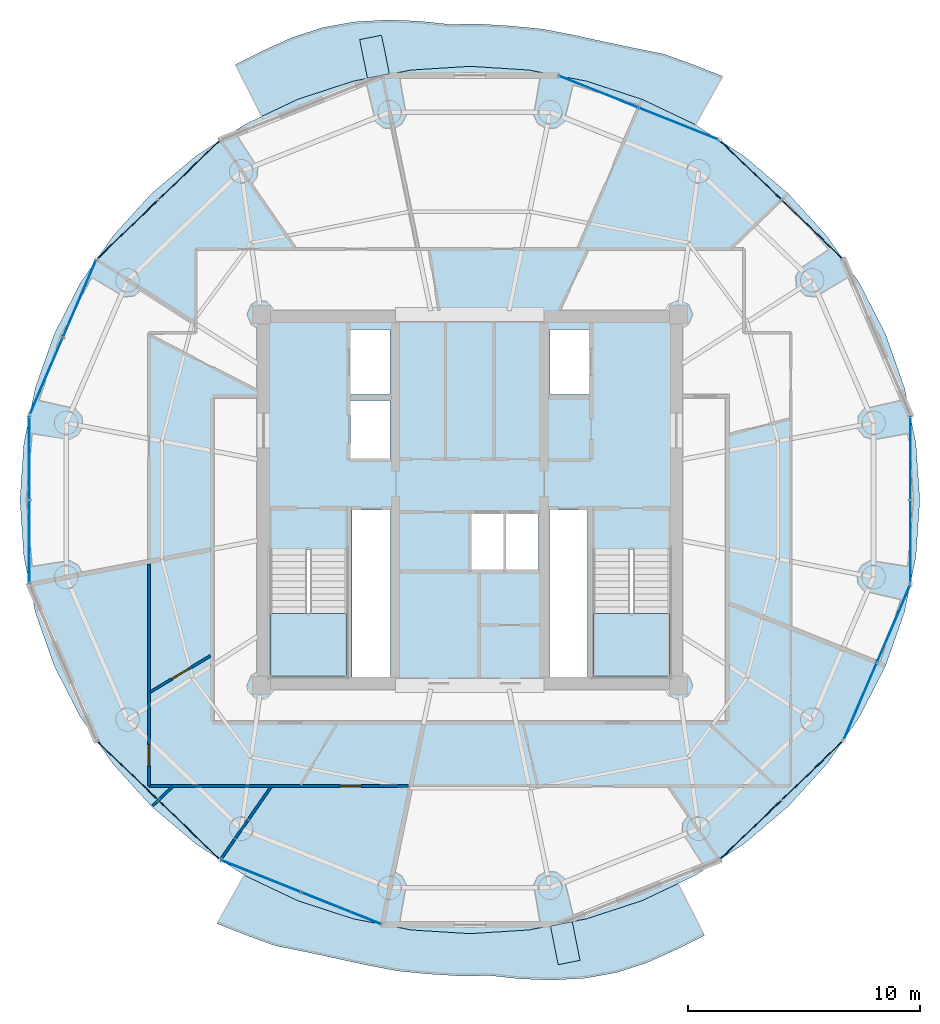
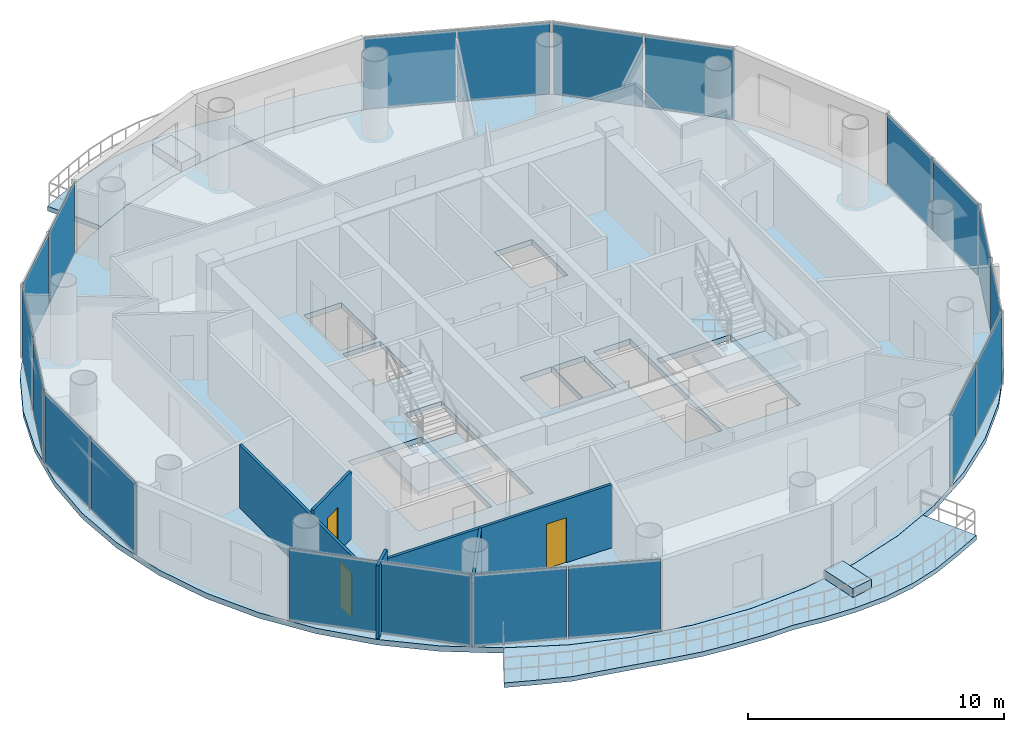
# One storey, part 16 of 23: 20 plates, 7 slabs, 5 walls, 3 doors, 3 openings, 12 elements without a shape of their own.
"""IFC4 building model written with IfcOpenShell, lengths in metres."""

from ifc_helpers import new_model, si_unit, direction, frame, frame_2d, origin, origin_2d, place, context, subcontext, project, spatial, polyline, rectangle, outline, extrude, source, transform, mapped, material, layer, layer_set, type_object, element, fill, aggregate, save


model = new_model("IFC4")

# Units and contexts
model_context = context("Model", 3, precision=1e-05, world=origin(), true_north=direction((-0.2419218956, 0.970295726276)))
body_context = subcontext(model_context, "Body", "Model", "MODEL_VIEW")
ifc_project = project(units=[si_unit("LENGTHUNIT", "METRE"), si_unit("AREAUNIT", "SQUARE_METRE"), si_unit("VOLUMEUNIT", "CUBIC_METRE"), si_unit("PLANEANGLEUNIT", "RADIAN"), si_unit("MASSUNIT", "GRAM", prefix="KILO")], contexts=[model_context])

# Site, building, storey
site_placement = place(None, origin())
site = spatial("IfcSite", under=ifc_project, at=site_placement, CompositionType="ELEMENT")
building_placement = place(site_placement, origin())
building = spatial("IfcBuilding", under=site, at=building_placement, Name="Cobrevalo Terracotta Tower", CompositionType="ELEMENT")
storey_placement = place(building_placement, frame((0.0, 0.0, 255.699951171875)))
storey = spatial("IfcBuildingStorey", under=building, at=storey_placement, Name="L67", CompositionType="ELEMENT", Elevation=255.699951171875)

# Stair, slab
ifc_material_1 = material(Name="Concrete C50", Category="concrete")
stair_type = type_object("IfcStairType", Name="Core protected escape dogleg stair 1600", PredefinedType="HALF_TURN_STAIR", material=ifc_material_1)
stair_1_placement = place(storey_placement, origin())
stair_1 = element("IfcStair", 1, at=stair_1_placement, inside=storey, type_object=stair_type, Name="L67 Protected exit stair ST-1", PredefinedType="HALF_TURN_STAIR")
ifc_layer_1 = layer(ifc_material_1, 0.199951171875)
ifc_layer_set_1 = layer_set([ifc_layer_1], Name="Concrete C50")
slab_type_1 = type_object("IfcSlabType", Name="Reinforced Concrete Stair Landing 200", PredefinedType="LANDING", material=ifc_layer_set_1)
slab_1_placement = place(storey_placement, frame((0.0, 0.0, 1.675048828125)))
slab_1 = element("IfcSlab", 2, at=slab_1_placement, type_object=slab_type_1, Name="ST-1 landing 1", PredefinedType="LANDING", context=body_context, shape_type="SweptSolid", body=[
    extrude(outline(polyline([(29.375, 21.89990234375), (29.375, 19.175048828125), (32.695068359375, 19.175048828125), (32.695068359375, 21.89990234375), (29.375, 21.89990234375)])), origin(), (0.0, 0.0, 1.0), 0.199951171875),
])
aggregate(stair_1, [slab_1])

stair_2_placement = place(storey_placement, origin())
stair_2 = element("IfcStair", 3, at=stair_2_placement, inside=storey, type_object=stair_type, Name="L67 Protected exit stair ST-2", PredefinedType="HALF_TURN_STAIR")
slab_2_placement = place(storey_placement, frame((0.0, 0.0, 1.675048828125)))
slab_2 = element("IfcSlab", 4, at=slab_2_placement, type_object=slab_type_1, Name="ST-2 landing 1", PredefinedType="LANDING", context=body_context, shape_type="SweptSolid", body=[
    extrude(outline(polyline([(43.304931640625, 21.89990234375), (43.304931640625, 19.175048828125), (46.625, 19.175048828125), (46.625, 21.89990234375), (43.304931640625, 21.89990234375)])), origin(), (0.0, 0.0, 1.0), 0.199951171875),
])
aggregate(stair_2, [slab_2])

# Slabs
ifc_material_2 = material(Name="Concrete C45", Category="concrete")
ifc_layer_2 = layer(ifc_material_2, 0.219970703125)
ifc_layer_set_2 = layer_set([ifc_layer_2], Name="Concrete C45")
slab_type_2 = type_object("IfcSlabType", Name="Spiralling cantilevered balcony lobe slab 220 mm", PredefinedType="FLOOR", material=ifc_layer_set_2)
slab_3_placement = place(storey_placement, frame((0.0, 0.0, -0.219970703125)))
element("IfcSlab", 5, at=slab_3_placement, inside=storey, type_object=slab_type_2, Name="L67 spiralling arc balcony slab lobe 1", PredefinedType="FLOOR", context=body_context, shape_type="SweptSolid", body=[
    extrude(outline(polyline([(48.904541015625, 45.071533203125), (47.634521484375, 45.569580078125), (46.36279296875, 46.03125), (45.02978515625, 46.298095703125), (43.720947265625, 46.57763671875), (42.42138671875, 46.861328125), (41.11279296875, 47.1103515625), (39.7880859375, 47.240478515625), (38.457275390625, 47.3232421875), (37.1259765625, 47.310546875), (35.771484375, 47.45458984375), (34.402099609375, 47.498291015625), (33.025146484375, 47.4208984375), (31.671142578125, 47.17822265625), (30.36181640625, 46.754150390625), (29.111572265625, 46.1884765625), (27.886474609375, 45.57861328125), (29.017333984375, 43.337890625), (30.5751953125, 44.078369140625), (32.978271484375, 44.86474609375), (35.467529296875, 45.342041015625), (38.0, 45.501953125), (40.532470703125, 45.342041015625), (43.021728515625, 44.86474609375), (45.4248046875, 44.078369140625), (47.700927734375, 42.996337890625), (47.73291015625, 42.975830078125), (48.904541015625, 45.071533203125)])), origin(), (0.0, 0.0, 1.0), 0.219970703125),
])
slab_4_placement = place(storey_placement, frame((0.0, 0.0, -0.219970703125)))
element("IfcSlab", 6, at=slab_4_placement, inside=storey, type_object=slab_type_2, Name="L67 spiralling arc balcony slab lobe 2", PredefinedType="FLOOR", context=body_context, shape_type="SweptSolid", body=[
    extrude(outline(polyline([(27.095458984375, 8.5283203125), (28.365478515625, 8.030517578125), (29.63720703125, 7.568603515625), (30.97021484375, 7.302001953125), (32.279052734375, 7.022216796875), (33.57861328125, 6.73876953125), (34.88720703125, 6.48974609375), (36.2119140625, 6.359619140625), (37.542724609375, 6.27685546875), (38.8740234375, 6.28955078125), (40.228515625, 6.1455078125), (41.597900390625, 6.1015625), (42.974853515625, 6.17919921875), (44.328857421875, 6.421875), (45.63818359375, 6.845947265625), (46.888427734375, 7.411376953125), (48.113525390625, 8.021484375), (46.982666015625, 10.26220703125), (45.4248046875, 9.521484375), (43.021728515625, 8.7353515625), (40.532470703125, 8.258056640625), (38.0, 8.097900390625), (35.467529296875, 8.258056640625), (32.978271484375, 8.7353515625), (30.5751953125, 9.521484375), (28.299072265625, 10.603515625), (28.26708984375, 10.6240234375), (27.095458984375, 8.5283203125)])), origin(), (0.0, 0.0, 1.0), 0.219970703125),
])
ifc_material_3 = material(Name="Precast concrete C45", Category="concrete")
ifc_layer_3 = layer(ifc_material_3, 0.419921875)
ifc_layer_set_3 = layer_set([ifc_layer_3], Name="Precast concrete C45")
slab_type_3 = type_object("IfcSlabType", Name="Structural tree planter trough base 420 mm", PredefinedType="USERDEFINED", material=ifc_layer_set_3)
slab_5_placement = place(storey_placement, origin())
element("IfcSlab", 7, at=slab_5_placement, inside=storey, type_object=slab_type_3, Name="L67 structural tree planter trough 1", ObjectType="PLANTER", PredefinedType="USERDEFINED", context=body_context, shape_type="SweptSolid", body=[
    extrude(outline(polyline([(34.52490234375, 45.1728515625), (34.190673828125, 46.83984375), (33.249267578125, 46.65087890625), (33.58349609375, 44.984130859375), (34.52490234375, 45.1728515625)])), origin(), (0.0, 0.0, 1.0), 0.420166015625),
])
slab_6_placement = place(storey_placement, origin())
element("IfcSlab", 8, at=slab_6_placement, inside=storey, type_object=slab_type_3, Name="L67 structural tree planter trough 2", ObjectType="PLANTER", PredefinedType="USERDEFINED", context=body_context, shape_type="SweptSolid", body=[
    extrude(outline(polyline([(41.47509765625, 8.427001953125), (41.809326171875, 6.76025390625), (42.750732421875, 6.948974609375), (42.41650390625, 8.615966796875), (41.47509765625, 8.427001953125)])), origin(), (0.0, 0.0, 1.0), 0.420166015625),
])
ifc_layer_4 = layer(ifc_material_2, 0.260009765625)
ifc_layer_set_4 = layer_set([ifc_layer_4], Name="Concrete C45")
slab_type_4 = type_object("IfcSlabType", Name="Zone Z5 elliptical floor plate 260 mm", PredefinedType="FLOOR", material=ifc_layer_set_4)
slab_7_placement = place(storey_placement, frame((0.0, 0.0, -0.260009765625)))
element("IfcSlab", 9, at=slab_7_placement, inside=storey, type_object=slab_type_4, Name="L67 indoor elliptical floor slab", PredefinedType="FLOOR", context=body_context, shape_type="SweptSolid", body=[
    extrude(outline(polyline([(57.234130859375, 24.359130859375), (56.739013671875, 21.9599609375), (55.92333984375, 19.643798828125), (54.80078125, 17.449951171875), (53.39111328125, 15.416259765625), (51.7177734375, 13.5771484375), (49.81005859375, 11.96435546875), (47.699951171875, 10.605224609375), (45.424072265625, 9.5234375), (43.02099609375, 8.7373046875), (40.5322265625, 8.260009765625), (38.0, 8.10009765625), (35.4677734375, 8.260009765625), (32.97900390625, 8.7373046875), (30.575927734375, 9.5234375), (28.300048828125, 10.605224609375), (26.18994140625, 11.96435546875), (24.2822265625, 13.5771484375), (22.60888671875, 15.416259765625), (21.19921875, 17.449951171875), (20.07666015625, 19.643798828125), (19.260986328125, 21.9599609375), (18.765869140625, 24.359130859375), (18.60009765625, 26.800048828125), (18.765869140625, 29.24072265625), (19.260986328125, 31.639892578125), (20.07666015625, 33.956298828125), (21.19921875, 36.14990234375), (22.60888671875, 38.183837890625), (24.2822265625, 40.02294921875), (26.18994140625, 41.6357421875), (28.300048828125, 42.99462890625), (30.575927734375, 44.07666015625), (32.97900390625, 44.86279296875), (35.4677734375, 45.340087890625), (38.0, 45.5), (40.5322265625, 45.340087890625), (43.02099609375, 44.86279296875), (45.424072265625, 44.07666015625), (47.699951171875, 42.99462890625), (49.81005859375, 41.6357421875), (51.7177734375, 40.02294921875), (53.39111328125, 38.183837890625), (54.80078125, 36.14990234375), (55.92333984375, 33.956298828125), (56.739013671875, 31.639892578125), (57.234130859375, 29.24072265625), (57.39990234375, 26.800048828125), (57.234130859375, 24.359130859375)]), holes=[polyline([(32.695068359375, 19.175048828125), (32.695068359375, 24.659912109375), (29.375, 24.659912109375), (29.375, 19.175048828125), (32.695068359375, 19.175048828125)]), polyline([(46.625, 19.175048828125), (46.625, 24.659912109375), (43.304931640625, 24.659912109375), (43.304931640625, 19.175048828125), (46.625, 19.175048828125)]), polyline([(34.574951171875, 26.360107421875), (32.919921875, 26.360107421875), (32.919921875, 19.175048828125), (34.574951171875, 19.175048828125), (34.574951171875, 26.360107421875)]), polyline([(43.080078125, 26.360107421875), (41.425048828125, 26.360107421875), (41.425048828125, 19.175048828125), (43.080078125, 19.175048828125), (43.080078125, 26.360107421875)]), polyline([(39.469970703125, 26.25), (38.0400390625, 26.25), (38.0400390625, 23.800048828125), (39.469970703125, 23.800048828125), (39.469970703125, 26.25)]), polyline([(40.949951171875, 26.25), (39.52001953125, 26.25), (39.52001953125, 23.800048828125), (40.949951171875, 23.800048828125), (40.949951171875, 26.25)]), polyline([(34.550048828125, 31.10009765625), (32.85009765625, 31.10009765625), (32.85009765625, 28.60009765625), (34.550048828125, 28.60009765625), (34.550048828125, 31.10009765625)]), polyline([(34.550048828125, 31.35009765625), (34.550048828125, 34.14990234375), (32.85009765625, 34.14990234375), (32.85009765625, 31.35009765625), (34.550048828125, 31.35009765625)]), polyline([(43.14990234375, 31.35009765625), (43.14990234375, 34.14990234375), (41.449951171875, 34.14990234375), (41.449951171875, 31.35009765625), (43.14990234375, 31.35009765625)])]), origin(), (0.0, 0.0, 1.0), 0.260009765625),
])

# Curtain wall, plates
ifc_material_4 = material(Name="Anodized aluminium", Category="aluminium")
curtain_wall_type = type_object("IfcCurtainWallType", Name="Upper-tower triple-glazed penthouse curtain wall CW-U3", PredefinedType="NOTDEFINED", material=ifc_material_4)
curtain_wall_1_placement = place(storey_placement, origin())
curtain_wall_1 = element("IfcCurtainWall", 10, at=curtain_wall_1_placement, inside=storey, type_object=curtain_wall_type, Name="L67 curtain wall CW-L67-S02", PredefinedType="NOTDEFINED")
ifc_material_5 = material(Name="Solar-control low-E double glazing", Category="glass")
ifc_layer_5 = layer(ifc_material_5, 0.028076171875)
ifc_layer_set_5 = layer_set([ifc_layer_5], Name="Solar-control low-E double glazing")
plate_type = type_object("IfcPlateType", Name="Tower solar-control low-E vision glass panel 28 mm", PredefinedType="CURTAIN_PANEL", material=ifc_layer_set_5)
shared_shape_1 = source(origin(), body_context, "Body", "SweptSolid", [
    extrude(rectangle(XDim=3.59130859375, YDim=0.035888671875, at=origin_2d()), origin(), (0.0, 0.0, 1.0), 3.409912109375),
])
plate_1_placement = place(storey_placement, frame((52.755126953125, 38.47412109375, 0.0400390625), z_axis=(0.0, 0.0, 1.0), x_axis=(-0.719996603293, 0.693977586992, 0.0)))
plate_1 = element("IfcPlate", 11, at=plate_1_placement, type_object=plate_type, Name="CW-L67-S02 glazing panel B01", PredefinedType="CURTAIN_PANEL", context=body_context, shape_type="MappedRepresentation", body=[
    mapped(shared_shape_1, transform((0.0, 0.0, 0.0), scale=1.0)),
])
plate_2_placement = place(storey_placement, frame((50.11181640625, 41.02197265625, 0.0400390625), z_axis=(0.0, 0.0, 1.0), x_axis=(-0.719996603293, 0.693977586992, 0.0)))
plate_2 = element("IfcPlate", 12, at=plate_2_placement, type_object=plate_type, Name="CW-L67-S02 glazing panel B02", PredefinedType="CURTAIN_PANEL", context=body_context, shape_type="MappedRepresentation", body=[
    mapped(shared_shape_1, transform((0.0, 0.0, 0.0), scale=1.0)),
])
aggregate(curtain_wall_1, [plate_1, plate_2])

curtain_wall_2_placement = place(storey_placement, origin())
curtain_wall_2 = element("IfcCurtainWall", 13, at=curtain_wall_2_placement, inside=storey, type_object=curtain_wall_type, Name="L67 curtain wall CW-L67-S06", PredefinedType="NOTDEFINED")
plate_3_placement = place(storey_placement, frame((25.88818359375, 41.02197265625, 0.0400390625), z_axis=(0.0, 0.0, 1.0), x_axis=(-0.719996603293, -0.693977586992, 0.0)))
plate_3 = element("IfcPlate", 14, at=plate_3_placement, type_object=plate_type, Name="CW-L67-S06 glazing panel B01", PredefinedType="CURTAIN_PANEL", context=body_context, shape_type="MappedRepresentation", body=[
    mapped(shared_shape_1, transform((0.0, 0.0, 0.0), scale=1.0)),
])
plate_4_placement = place(storey_placement, frame((23.244873046875, 38.47412109375, 0.0400390625), z_axis=(0.0, 0.0, 1.0), x_axis=(-0.719996603293, -0.693977586992, 0.0)))
plate_4 = element("IfcPlate", 15, at=plate_4_placement, type_object=plate_type, Name="CW-L67-S06 glazing panel B02", PredefinedType="CURTAIN_PANEL", context=body_context, shape_type="MappedRepresentation", body=[
    mapped(shared_shape_1, transform((0.0, 0.0, 0.0), scale=1.0)),
])
aggregate(curtain_wall_2, [plate_3, plate_4])

curtain_wall_3_placement = place(storey_placement, origin())
curtain_wall_3 = element("IfcCurtainWall", 16, at=curtain_wall_3_placement, inside=storey, type_object=curtain_wall_type, Name="L67 curtain wall CW-L67-S10", PredefinedType="NOTDEFINED")
plate_5_placement = place(storey_placement, frame((23.244873046875, 15.1259765625, 0.0400390625), z_axis=(0.0, 0.0, 1.0), x_axis=(0.719996603293, -0.693977586992, 0.0)))
plate_5 = element("IfcPlate", 17, at=plate_5_placement, type_object=plate_type, Name="CW-L67-S10 glazing panel B01", PredefinedType="CURTAIN_PANEL", context=body_context, shape_type="MappedRepresentation", body=[
    mapped(shared_shape_1, transform((0.0, 0.0, 0.0), scale=1.0)),
])
plate_6_placement = place(storey_placement, frame((25.88818359375, 12.578125, 0.0400390625), z_axis=(0.0, 0.0, 1.0), x_axis=(0.719996603293, -0.693977586992, 0.0)))
plate_6 = element("IfcPlate", 18, at=plate_6_placement, type_object=plate_type, Name="CW-L67-S10 glazing panel B02", PredefinedType="CURTAIN_PANEL", context=body_context, shape_type="MappedRepresentation", body=[
    mapped(shared_shape_1, transform((0.0, 0.0, 0.0), scale=1.0)),
])
aggregate(curtain_wall_3, [plate_5, plate_6])

curtain_wall_4_placement = place(storey_placement, origin())
curtain_wall_4 = element("IfcCurtainWall", 19, at=curtain_wall_4_placement, inside=storey, type_object=curtain_wall_type, Name="L67 curtain wall CW-L67-S14", PredefinedType="NOTDEFINED")
plate_7_placement = place(storey_placement, frame((50.11181640625, 12.578125, 0.0400390625), z_axis=(0.0, 0.0, 1.0), x_axis=(0.719996603293, 0.693977586992, 0.0)))
plate_7 = element("IfcPlate", 20, at=plate_7_placement, type_object=plate_type, Name="CW-L67-S14 glazing panel B01", PredefinedType="CURTAIN_PANEL", context=body_context, shape_type="MappedRepresentation", body=[
    mapped(shared_shape_1, transform((0.0, 0.0, 0.0), scale=1.0)),
])
plate_8_placement = place(storey_placement, frame((52.755126953125, 15.1259765625, 0.0400390625), z_axis=(0.0, 0.0, 1.0), x_axis=(0.719996603293, 0.693977586992, 0.0)))
plate_8 = element("IfcPlate", 21, at=plate_8_placement, type_object=plate_type, Name="CW-L67-S14 glazing panel B02", PredefinedType="CURTAIN_PANEL", context=body_context, shape_type="MappedRepresentation", body=[
    mapped(shared_shape_1, transform((0.0, 0.0, 0.0), scale=1.0)),
])
aggregate(curtain_wall_4, [plate_7, plate_8])

curtain_wall_5_placement = place(storey_placement, origin())
curtain_wall_5 = element("IfcCurtainWall", 22, at=curtain_wall_5_placement, inside=storey, type_object=curtain_wall_type, Name="L67 curtain wall CW-L67-S03", PredefinedType="NOTDEFINED")
shared_shape_2 = source(origin(), body_context, "Body", "SweptSolid", [
    extrude(rectangle(XDim=3.63916015625, YDim=0.035888671875, at=origin_2d()), origin(), (0.0, 0.0, 1.0), 3.409912109375),
])
plate_9_placement = place(storey_placement, frame((46.997314453125, 43.02783203125, 0.0400390625), z_axis=(0.0, 0.0, 1.0), x_axis=(-0.92871833374, 0.370785998353, 0.0)))
plate_9 = element("IfcPlate", 23, at=plate_9_placement, type_object=plate_type, Name="CW-L67-S03 glazing panel B01", PredefinedType="CURTAIN_PANEL", context=body_context, shape_type="MappedRepresentation", body=[
    mapped(shared_shape_2, transform((0.0, 0.0, 0.0), scale=1.0)),
])
plate_10_placement = place(storey_placement, frame((43.543212890625, 44.406982421875, 0.0400390625), z_axis=(0.0, 0.0, 1.0), x_axis=(-0.92871833374, 0.370785998353, 0.0)))
plate_10 = element("IfcPlate", 24, at=plate_10_placement, type_object=plate_type, Name="CW-L67-S03 glazing panel B02", PredefinedType="CURTAIN_PANEL", context=body_context, shape_type="MappedRepresentation", body=[
    mapped(shared_shape_2, transform((0.0, 0.0, 0.0), scale=1.0)),
])
aggregate(curtain_wall_5, [plate_9, plate_10])

curtain_wall_6_placement = place(storey_placement, origin())
curtain_wall_6 = element("IfcCurtainWall", 25, at=curtain_wall_6_placement, inside=storey, type_object=curtain_wall_type, Name="L67 curtain wall CW-L67-S11", PredefinedType="NOTDEFINED")
plate_11_placement = place(storey_placement, frame((29.002685546875, 10.572021484375, 0.0400390625), z_axis=(0.0, 0.0, 1.0), x_axis=(0.92871833374, -0.370785998353, 0.0)))
plate_11 = element("IfcPlate", 26, at=plate_11_placement, type_object=plate_type, Name="CW-L67-S11 glazing panel B01", PredefinedType="CURTAIN_PANEL", context=body_context, shape_type="MappedRepresentation", body=[
    mapped(shared_shape_2, transform((0.0, 0.0, 0.0), scale=1.0)),
])
plate_12_placement = place(storey_placement, frame((32.456787109375, 9.193115234375, 0.0400390625), z_axis=(0.0, 0.0, 1.0), x_axis=(0.92871833374, -0.370785998353, 0.0)))
plate_12 = element("IfcPlate", 27, at=plate_12_placement, type_object=plate_type, Name="CW-L67-S11 glazing panel B02", PredefinedType="CURTAIN_PANEL", context=body_context, shape_type="MappedRepresentation", body=[
    mapped(shared_shape_2, transform((0.0, 0.0, 0.0), scale=1.0)),
])
aggregate(curtain_wall_6, [plate_11, plate_12])

curtain_wall_7_placement = place(storey_placement, origin())
curtain_wall_7 = element("IfcCurtainWall", 28, at=curtain_wall_7_placement, inside=storey, type_object=curtain_wall_type, Name="L67 curtain wall CW-L67-S07", PredefinedType="NOTDEFINED")
shared_shape_3 = source(origin(), body_context, "Body", "SweptSolid", [
    extrude(rectangle(XDim=3.542724609375, YDim=0.035888671875, at=origin_2d()), origin(), (0.0, 0.0, 1.0), 3.409912109375),
])
plate_13_placement = place(storey_placement, frame((21.16357421875, 35.4716796875, 0.0400390625), z_axis=(0.0, 0.0, 1.0), x_axis=(-0.394828845134, -0.918754691444, 0.0)))
plate_13 = element("IfcPlate", 29, at=plate_13_placement, type_object=plate_type, Name="CW-L67-S07 glazing panel B01", PredefinedType="CURTAIN_PANEL", context=body_context, shape_type="MappedRepresentation", body=[
    mapped(shared_shape_3, transform((0.0, 0.0, 0.0), scale=1.0)),
])
plate_14_placement = place(storey_placement, frame((19.733154296875, 32.143310546875, 0.0400390625), z_axis=(0.0, 0.0, 1.0), x_axis=(-0.394828845134, -0.918754691444, 0.0)))
plate_14 = element("IfcPlate", 30, at=plate_14_placement, type_object=plate_type, Name="CW-L67-S07 glazing panel B02", PredefinedType="CURTAIN_PANEL", context=body_context, shape_type="MappedRepresentation", body=[
    mapped(shared_shape_3, transform((0.0, 0.0, 0.0), scale=1.0)),
])
aggregate(curtain_wall_7, [plate_13, plate_14])

curtain_wall_8_placement = place(storey_placement, origin())
curtain_wall_8 = element("IfcCurtainWall", 31, at=curtain_wall_8_placement, inside=storey, type_object=curtain_wall_type, Name="L67 curtain wall CW-L67-S15", PredefinedType="NOTDEFINED")
plate_15_placement = place(storey_placement, frame((54.83642578125, 18.12841796875, 0.0400390625), z_axis=(0.0, 0.0, 1.0), x_axis=(0.394828845134, 0.918754691444, 0.0)))
plate_15 = element("IfcPlate", 32, at=plate_15_placement, type_object=plate_type, Name="CW-L67-S15 glazing panel B01", PredefinedType="CURTAIN_PANEL", context=body_context, shape_type="MappedRepresentation", body=[
    mapped(shared_shape_3, transform((0.0, 0.0, 0.0), scale=1.0)),
])
plate_16_placement = place(storey_placement, frame((56.266845703125, 21.456787109375, 0.0400390625), z_axis=(0.0, 0.0, 1.0), x_axis=(0.394828845134, 0.918754691444, 0.0)))
plate_16 = element("IfcPlate", 33, at=plate_16_placement, type_object=plate_type, Name="CW-L67-S15 glazing panel B02", PredefinedType="CURTAIN_PANEL", context=body_context, shape_type="MappedRepresentation", body=[
    mapped(shared_shape_3, transform((0.0, 0.0, 0.0), scale=1.0)),
])
aggregate(curtain_wall_8, [plate_15, plate_16])

curtain_wall_9_placement = place(storey_placement, origin())
curtain_wall_9 = element("IfcCurtainWall", 34, at=curtain_wall_9_placement, inside=storey, type_object=curtain_wall_type, Name="L67 curtain wall CW-L67-S08", PredefinedType="NOTDEFINED")
shared_shape_4 = source(origin(), body_context, "Body", "SweptSolid", [
    extrude(rectangle(XDim=3.522216796875, YDim=0.035888671875, at=origin_2d()), origin(), (0.0, 0.0, 1.0), 3.409912109375),
])
plate_17_placement = place(storey_placement, frame((19.002197265625, 28.60107421875, 0.0400390625), z_axis=(0.0, 0.0, 1.0), x_axis=(0.0, -1.0, 0.0)))
plate_17 = element("IfcPlate", 35, at=plate_17_placement, type_object=plate_type, Name="CW-L67-S08 glazing panel B01", PredefinedType="CURTAIN_PANEL", context=body_context, shape_type="MappedRepresentation", body=[
    mapped(shared_shape_4, transform((0.0, 0.0, 0.0), scale=1.0)),
])
plate_18_placement = place(storey_placement, frame((19.002197265625, 24.998779296875, 0.0400390625), z_axis=(0.0, 0.0, 1.0), x_axis=(0.0, -1.0, 0.0)))
plate_18 = element("IfcPlate", 36, at=plate_18_placement, type_object=plate_type, Name="CW-L67-S08 glazing panel B02", PredefinedType="CURTAIN_PANEL", context=body_context, shape_type="MappedRepresentation", body=[
    mapped(shared_shape_4, transform((0.0, 0.0, 0.0), scale=1.0)),
])
aggregate(curtain_wall_9, [plate_17, plate_18])

curtain_wall_10_placement = place(storey_placement, origin())
curtain_wall_10 = element("IfcCurtainWall", 37, at=curtain_wall_10_placement, inside=storey, type_object=curtain_wall_type, Name="L67 curtain wall CW-L67-S16", PredefinedType="NOTDEFINED")
plate_19_placement = place(storey_placement, frame((56.997802734375, 24.998779296875, 0.0400390625), z_axis=(0.0, 0.0, 1.0), x_axis=(0.0, 1.0, 0.0)))
plate_19 = element("IfcPlate", 38, at=plate_19_placement, type_object=plate_type, Name="CW-L67-S16 glazing panel B01", PredefinedType="CURTAIN_PANEL", context=body_context, shape_type="MappedRepresentation", body=[
    mapped(shared_shape_4, transform((0.0, 0.0, 0.0), scale=1.0)),
])
plate_20_placement = place(storey_placement, frame((56.997802734375, 28.60107421875, 0.0400390625), z_axis=(0.0, 0.0, 1.0), x_axis=(0.0, 1.0, 0.0)))
plate_20 = element("IfcPlate", 39, at=plate_20_placement, type_object=plate_type, Name="CW-L67-S16 glazing panel B02", PredefinedType="CURTAIN_PANEL", context=body_context, shape_type="MappedRepresentation", body=[
    mapped(shared_shape_4, transform((0.0, 0.0, 0.0), scale=1.0)),
])
aggregate(curtain_wall_10, [plate_19, plate_20])

# Wall, opening, door
ifc_material_6 = material(Name="Gypsum board on steel stud", Category="steel")
ifc_layer_6 = layer(ifc_material_6, 0.1201171875)
ifc_layer_set_6 = layer_set([ifc_layer_6], Name="Gypsum board on steel stud")
wall_type = type_object("IfcWallType", Name="Residential internal acoustic stud partition 120 mm", PredefinedType="PARTITIONING", material=ifc_layer_set_6)
wall_1_placement = place(storey_placement, frame((35.3525390625, 14.465087890625, 0.0), z_axis=(0.0, 0.0, 1.0), x_axis=(-1.0, 0.0, 0.0)))
wall_1 = element("IfcWall", 40, at=wall_1_placement, inside=storey, type_object=wall_type, Name="L67 interior partition IW-L67-U2-RING0_0", PredefinedType="PARTITIONING", context=body_context, shape_type="SweptSolid", body=[
    extrude(rectangle(XDim=11.1875, YDim=0.1201171875, at=frame_2d((5.59375, 0.0))), origin(), (0.0, 0.0, 1.0), 3.01513671875),
])
opening_1_placement = place(wall_1_placement, frame((2.048828125, 0.0, 0.0)))
opening_1 = element("IfcOpeningElement", 41, at=opening_1_placement, cuts=wall_1, Name="Opening ID-12", PredefinedType="OPENING", context=body_context, shape_type="SweptSolid", body=[
    extrude(rectangle(XDim=0.89990234375, YDim=2.14990234375, at=frame_2d((0.449951171875, 1.074951171875))), frame((0.0, 0.070068359375, 0.0), z_axis=(0.0, -1.0, 0.0), x_axis=(1.0, 0.0, 0.0)), (0.0, 0.0, 1.0), 0.14013671875),
])
ifc_material_7 = material(Name="Engineered timber", Category="wood")
door_type_1 = type_object("IfcDoorType", Name="Internal residence & suite timber door 900x2150", OperationType="NOTDEFINED", PredefinedType="DOOR", material=ifc_material_7)
shared_shape_5 = source(origin(), body_context, "Body", "SweptSolid", [
    extrude(rectangle(XDim=0.89990234375, YDim=2.14990234375, at=frame_2d((0.449951171875, 1.074951171875))), frame((0.0, 0.02490234375, 0.0), z_axis=(0.0, -1.0, 0.0), x_axis=(1.0, 0.0, 0.0)), (0.0, 0.0, 1.0), 0.050048828125),
])
door_1_placement = place(opening_1_placement, origin())
door_1 = element("IfcDoor", 42, at=door_1_placement, inside=storey, type_object=door_type_1, Name="Flat L67B Master Bedroom internal door", OperationType="SINGLE_SWING_RIGHT", OverallHeight=2.14990234375, OverallWidth=0.89990234375, PredefinedType="DOOR", context=body_context, shape_type="MappedRepresentation", body=[
    mapped(shared_shape_5, transform((0.0, 0.0, 0.0), scale=1.0)),
])
fill(opening_1, door_1)

wall_2_placement = place(storey_placement, frame((24.1650390625, 14.465087890625, 0.0), z_axis=(0.0, 0.0, 1.0), x_axis=(0.0, 1.0, 0.0)))
wall_2 = element("IfcWall", 43, at=wall_2_placement, inside=storey, type_object=wall_type, Name="L67 interior partition IW-L67-U2-RING1_0", PredefinedType="PARTITIONING", context=body_context, shape_type="SweptSolid", body=[
    extrude(rectangle(XDim=9.580322265625, YDim=0.1201171875, at=frame_2d((4.7900390625, 0.0))), origin(), (0.0, 0.0, 1.0), 3.01513671875),
])
opening_2_placement = place(wall_2_placement, frame((0.878662109375, 0.0, 0.0)))
opening_2 = element("IfcOpeningElement", 44, at=opening_2_placement, cuts=wall_2, Name="Opening ID-12", PredefinedType="OPENING", context=body_context, shape_type="SweptSolid", body=[
    extrude(rectangle(XDim=0.89990234375, YDim=2.14990234375, at=frame_2d((0.449951171875, 1.074951171875))), frame((0.0, 0.070068359375, 0.0), z_axis=(0.0, -1.0, 0.0), x_axis=(1.0, 0.0, 0.0)), (0.0, 0.0, 1.0), 0.14013671875),
])
door_2_placement = place(opening_2_placement, origin())
door_2 = element("IfcDoor", 45, at=door_2_placement, inside=storey, type_object=door_type_1, Name="Flat L67B Living and Dining Room internal door", OperationType="SINGLE_SWING_RIGHT", OverallHeight=2.14990234375, OverallWidth=0.89990234375, PredefinedType="DOOR", context=body_context, shape_type="MappedRepresentation", body=[
    mapped(shared_shape_5, transform((0.0, 0.0, 0.0), scale=1.0)),
])
fill(opening_2, door_2)

# Walls
wall_3_placement = place(storey_placement, frame((25.15869140625, 14.421875, 0.0), z_axis=(0.0, 0.0, 1.0), x_axis=(-0.720070222664, -0.693901199331, 0.0)))
element("IfcWall", 46, at=wall_3_placement, inside=storey, type_object=wall_type, Name="L67 interior partition IW-L67-U2-ORAD1", PredefinedType="PARTITIONING", context=body_context, shape_type="SweptSolid", body=[
    extrude(rectangle(XDim=1.15673828125, YDim=0.1201171875, at=frame_2d((0.578369140625, 0.0))), origin(), (0.0, 0.0, 1.0), 3.489990234375),
])
wall_4_placement = place(storey_placement, frame((29.4140625, 14.4140625, 0.0), z_axis=(0.0, 0.0, 1.0), x_axis=(-0.569657021681, -0.821882520589, 0.0)))
element("IfcWall", 47, at=wall_4_placement, inside=storey, type_object=wall_type, Name="L67 interior partition IW-L67-U2-ORAD2", PredefinedType="PARTITIONING", context=body_context, shape_type="SweptSolid", body=[
    extrude(rectangle(XDim=3.747802734375, YDim=0.1201171875, at=frame_2d((1.8740234375, 0.0))), origin(), (0.0, 0.0, 1.0), 3.01513671875),
])

# Wall, opening, door
wall_5_placement = place(storey_placement, frame((26.81494140625, 20.081787109375, 0.0), z_axis=(0.0, 0.0, 1.0), x_axis=(-0.857265264382, -0.514875000834, 0.0)))
wall_5 = element("IfcWall", 48, at=wall_5_placement, inside=storey, type_object=wall_type, Name="L67 interior partition IW-L67-U2-IRAD1", PredefinedType="PARTITIONING", context=body_context, shape_type="SweptSolid", body=[
    extrude(rectangle(XDim=3.029052734375, YDim=0.1201171875, at=frame_2d((1.5146484375, 0.0))), origin(), (0.0, 0.0, 1.0), 3.208984375),
])
opening_3_placement = place(wall_5_placement, frame((1.084716796875, 0.0, 0.0)))
opening_3 = element("IfcOpeningElement", 49, at=opening_3_placement, cuts=wall_5, Name="Opening ID-19", PredefinedType="OPENING", context=body_context, shape_type="SweptSolid", body=[
    extrude(rectangle(XDim=0.860107421875, YDim=2.14990234375, at=frame_2d((0.43017578125, 1.074951171875))), frame((0.0, 0.070068359375, 0.0), z_axis=(0.0, -1.0, 0.0), x_axis=(1.0, 0.0, 0.0)), (0.0, 0.0, 1.0), 0.14013671875),
])
ifc_material_8 = material(Name="Moisture-sealed timber", Category="wood")
door_type_2 = type_object("IfcDoorType", Name="Suite bathroom internal timber door 860x2150", OperationType="NOTDEFINED", PredefinedType="DOOR", material=ifc_material_8)
shared_shape_6 = source(origin(), body_context, "Body", "SweptSolid", [
    extrude(rectangle(XDim=0.860107421875, YDim=2.14990234375, at=frame_2d((0.43017578125, 1.074951171875))), frame((0.0, 0.02490234375, 0.0), z_axis=(0.0, -1.0, 0.0), x_axis=(1.0, 0.0, 0.0)), (0.0, 0.0, 1.0), 0.050048828125),
])
door_3_placement = place(opening_3_placement, frame((0.860107421875, 0.0, 0.0), z_axis=(0.0, 0.0, 1.0), x_axis=(-1.0, 0.0, 0.0)))
door_3 = element("IfcDoor", 50, at=door_3_placement, inside=storey, type_object=door_type_2, Name="Flat L67B Primary Bathroom internal door", OperationType="SINGLE_SWING_LEFT", OverallHeight=2.14990234375, OverallWidth=0.860107421875, PredefinedType="DOOR", context=body_context, shape_type="MappedRepresentation", body=[
    mapped(shared_shape_6, transform((0.0, 0.0, 0.0), scale=1.0)),
])
fill(opening_3, door_3)

save(model, "model.ifc")
